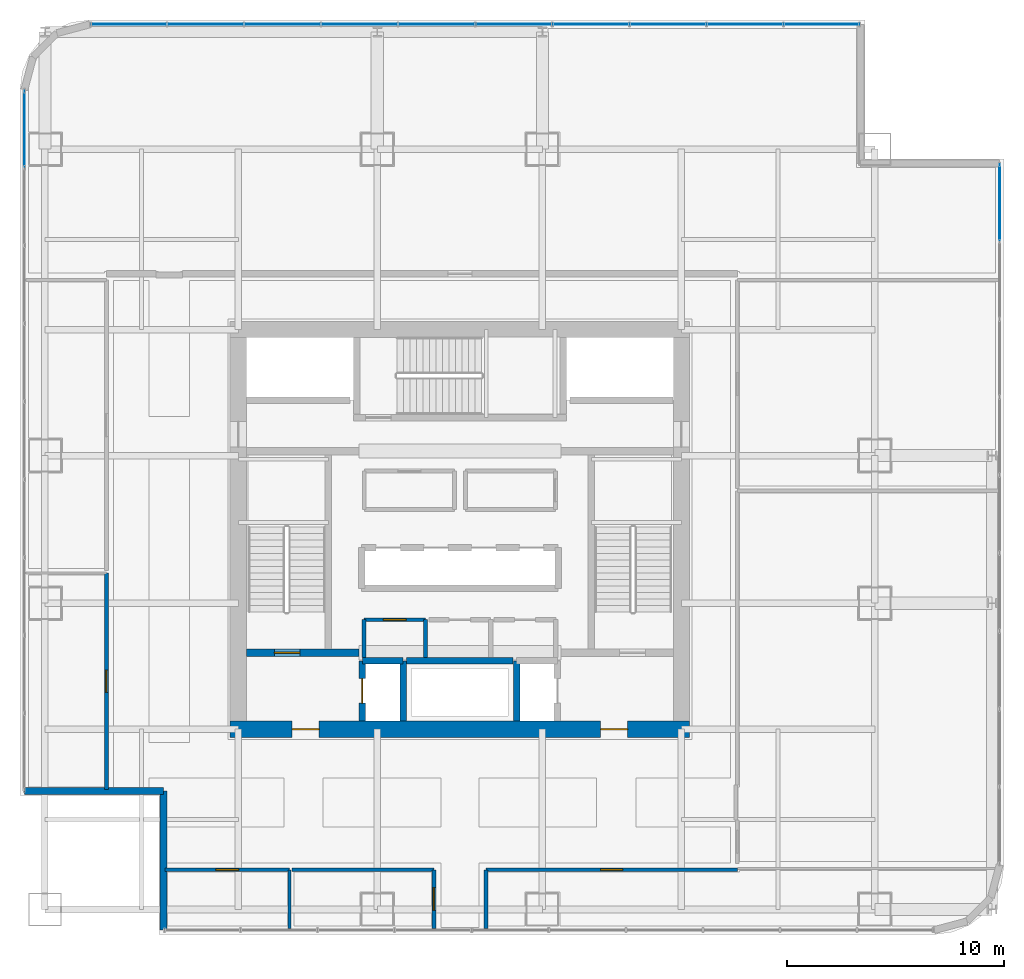
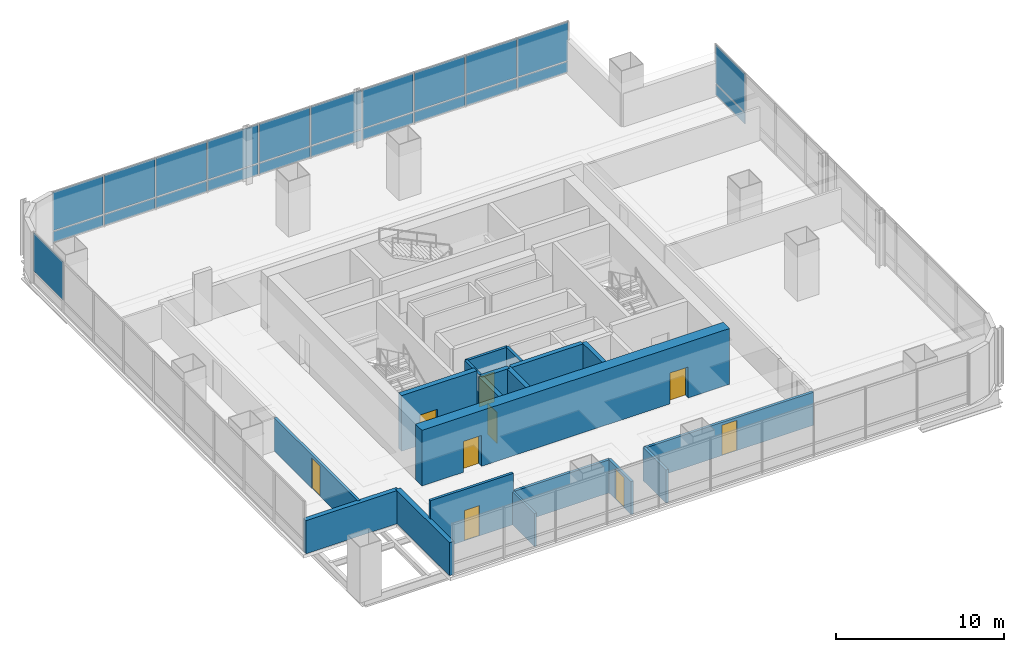
# One storey, part 27 of 33: 23 plates, 19 walls, 9 doors, 9 openings, 3 elements without a shape of their own.
"""IFC4 building model written with IfcOpenShell, lengths in metres."""

from ifc_helpers import new_model, si_unit, direction, frame, frame_2d, origin, origin_2d, place, context, subcontext, project, spatial, rectangle, extrude, material, layer, layer_set, type_object, element, fill, aggregate, save


model = new_model("IFC4")

# Units and contexts
model_context = context("Model", 3, precision=1e-05, world=origin(), true_north=direction((0.0, 1.0)))
body_context = subcontext(model_context, "Body", "Model", "MODEL_VIEW")
ifc_project = project(units=[si_unit("LENGTHUNIT", "METRE"), si_unit("AREAUNIT", "SQUARE_METRE"), si_unit("VOLUMEUNIT", "CUBIC_METRE"), si_unit("PLANEANGLEUNIT", "RADIAN"), si_unit("MASSUNIT", "GRAM", prefix="KILO")], contexts=[model_context])

# Site, building, storey
site_placement = place(None, origin())
site = spatial("IfcSite", under=ifc_project, at=site_placement, CompositionType="ELEMENT")
building_placement = place(site_placement, origin())
building = spatial("IfcBuilding", under=site, at=building_placement, Name="Punatoya Terracotta Tower", CompositionType="ELEMENT")
storey_placement = place(building_placement, frame((0.0, 0.0, 121.35009765625)))
storey = spatial("IfcBuildingStorey", under=building, at=storey_placement, Name="L28", CompositionType="ELEMENT", Elevation=121.35009765625)

# Curtain wall, plate
ifc_material_1 = material(Name="Aluminium 6063-T6 + Double Low-E Glass", Category="aluminium")
curtain_wall_type = type_object("IfcCurtainWallType", Name="CW-M1", PredefinedType="NOTDEFINED", material=ifc_material_1)
curtain_wall_1_placement = place(storey_placement, origin())
curtain_wall_1 = element("IfcCurtainWall", 1, at=curtain_wall_1_placement, inside=storey, type_object=curtain_wall_type, Name="L28 Curtain Wall CW-L28-E05-1", PredefinedType="NOTDEFINED")
ifc_material_2 = material(Name="Double Low-E Clear Vision Glass", Category="glass")
ifc_layer_1 = layer(ifc_material_2, 0.028076171875)
ifc_layer_set_1 = layer_set([ifc_layer_1], Name="Double Low-E Clear Vision Glass")
plate_type_1 = type_object("IfcPlateType", Name="PLT-GLZ-28", PredefinedType="CURTAIN_PANEL", material=ifc_layer_set_1)
plate_1_placement = place(storey_placement, frame((24.85009765625, 15.056396484375, 0.8896484375), z_axis=(0.0, 0.0, 1.0), x_axis=(0.0, 1.0, 0.0)))
plate_1 = element("IfcPlate", 2, at=plate_1_placement, type_object=plate_type_1, Name="CW-L28-E05-1 Vision Glass Panel 9", PredefinedType="CURTAIN_PANEL", context=body_context, shape_type="SweptSolid", body=[
    extrude(rectangle(XDim=3.50244140625, YDim=0.028076171875, at=origin_2d()), origin(), (0.0, 0.0, 1.0), 2.800048828125),
])

# Curtain wall, plates
curtain_wall_2_placement = place(storey_placement, origin())
curtain_wall_2 = element("IfcCurtainWall", 3, at=curtain_wall_2_placement, inside=storey, type_object=curtain_wall_type, Name="L28 Curtain Wall CW-L28-N08-1", PredefinedType="NOTDEFINED")
plate_2_placement = place(storey_placement, frame((16.67578125, 23.25, 0.8896484375), z_axis=(0.0, 0.0, 1.0), x_axis=(-1.0, 0.0, 0.0)))
plate_2 = element("IfcPlate", 4, at=plate_2_placement, type_object=plate_type_1, Name="CW-L28-N08-1 Vision Glass Panel 1", PredefinedType="CURTAIN_PANEL", context=body_context, shape_type="SweptSolid", body=[
    extrude(rectangle(XDim=3.463623046875, YDim=0.028076171875, at=origin_2d()), origin(), (0.0, 0.0, 1.0), 2.800048828125),
])
plate_3_placement = place(storey_placement, frame((13.126953125, 23.25, 0.8896484375), z_axis=(0.0, 0.0, 1.0), x_axis=(-1.0, 0.0, 0.0)))
plate_3 = element("IfcPlate", 5, at=plate_3_placement, type_object=plate_type_1, Name="CW-L28-N08-1 Vision Glass Panel 2", PredefinedType="CURTAIN_PANEL", context=body_context, shape_type="SweptSolid", body=[
    extrude(rectangle(XDim=3.463623046875, YDim=0.028076171875, at=origin_2d()), origin(), (0.0, 0.0, 1.0), 2.800048828125),
])
plate_4_placement = place(storey_placement, frame((9.578369140625, 23.25, 0.8896484375), z_axis=(0.0, 0.0, 1.0), x_axis=(-1.0, 0.0, 0.0)))
plate_4 = element("IfcPlate", 6, at=plate_4_placement, type_object=plate_type_1, Name="CW-L28-N08-1 Vision Glass Panel 3", PredefinedType="CURTAIN_PANEL", context=body_context, shape_type="SweptSolid", body=[
    extrude(rectangle(XDim=3.463623046875, YDim=0.028076171875, at=origin_2d()), origin(), (0.0, 0.0, 1.0), 2.800048828125),
])
plate_5_placement = place(storey_placement, frame((6.029541015625, 23.25, 0.8896484375), z_axis=(0.0, 0.0, 1.0), x_axis=(-1.0, 0.0, 0.0)))
plate_5 = element("IfcPlate", 7, at=plate_5_placement, type_object=plate_type_1, Name="CW-L28-N08-1 Vision Glass Panel 4", PredefinedType="CURTAIN_PANEL", context=body_context, shape_type="SweptSolid", body=[
    extrude(rectangle(XDim=3.463623046875, YDim=0.028076171875, at=origin_2d()), origin(), (0.0, 0.0, 1.0), 2.800048828125),
])
plate_6_placement = place(storey_placement, frame((2.48095703125, 23.25, 0.8896484375), z_axis=(0.0, 0.0, 1.0), x_axis=(-1.0, 0.0, 0.0)))
plate_6 = element("IfcPlate", 8, at=plate_6_placement, type_object=plate_type_1, Name="CW-L28-N08-1 Vision Glass Panel 5", PredefinedType="CURTAIN_PANEL", context=body_context, shape_type="SweptSolid", body=[
    extrude(rectangle(XDim=3.463623046875, YDim=0.028076171875, at=origin_2d()), origin(), (0.0, 0.0, 1.0), 2.800048828125),
])
plate_7_placement = place(storey_placement, frame((-1.06787109375, 23.25, 0.8896484375), z_axis=(0.0, 0.0, 1.0), x_axis=(-1.0, 0.0, 0.0)))
plate_7 = element("IfcPlate", 9, at=plate_7_placement, type_object=plate_type_1, Name="CW-L28-N08-1 Vision Glass Panel 6", PredefinedType="CURTAIN_PANEL", context=body_context, shape_type="SweptSolid", body=[
    extrude(rectangle(XDim=3.463623046875, YDim=0.028076171875, at=origin_2d()), origin(), (0.0, 0.0, 1.0), 2.800048828125),
])
plate_8_placement = place(storey_placement, frame((-4.616455078125, 23.25, 0.8896484375), z_axis=(0.0, 0.0, 1.0), x_axis=(-1.0, 0.0, 0.0)))
plate_8 = element("IfcPlate", 10, at=plate_8_placement, type_object=plate_type_1, Name="CW-L28-N08-1 Vision Glass Panel 7", PredefinedType="CURTAIN_PANEL", context=body_context, shape_type="SweptSolid", body=[
    extrude(rectangle(XDim=3.463623046875, YDim=0.028076171875, at=origin_2d()), origin(), (0.0, 0.0, 1.0), 2.800048828125),
])
plate_9_placement = place(storey_placement, frame((-8.165283203125, 23.25, 0.8896484375), z_axis=(0.0, 0.0, 1.0), x_axis=(-1.0, 0.0, 0.0)))
plate_9 = element("IfcPlate", 11, at=plate_9_placement, type_object=plate_type_1, Name="CW-L28-N08-1 Vision Glass Panel 8", PredefinedType="CURTAIN_PANEL", context=body_context, shape_type="SweptSolid", body=[
    extrude(rectangle(XDim=3.463623046875, YDim=0.028076171875, at=origin_2d()), origin(), (0.0, 0.0, 1.0), 2.800048828125),
])
plate_10_placement = place(storey_placement, frame((-11.7138671875, 23.25, 0.8896484375), z_axis=(0.0, 0.0, 1.0), x_axis=(-1.0, 0.0, 0.0)))
plate_10 = element("IfcPlate", 12, at=plate_10_placement, type_object=plate_type_1, Name="CW-L28-N08-1 Vision Glass Panel 9", PredefinedType="CURTAIN_PANEL", context=body_context, shape_type="SweptSolid", body=[
    extrude(rectangle(XDim=3.463623046875, YDim=0.028076171875, at=origin_2d()), origin(), (0.0, 0.0, 1.0), 2.800048828125),
])
plate_11_placement = place(storey_placement, frame((-15.2626953125, 23.25, 0.8896484375), z_axis=(0.0, 0.0, 1.0), x_axis=(-1.0, 0.0, 0.0)))
plate_11 = element("IfcPlate", 13, at=plate_11_placement, type_object=plate_type_1, Name="CW-L28-N08-1 Vision Glass Panel 10", PredefinedType="CURTAIN_PANEL", context=body_context, shape_type="SweptSolid", body=[
    extrude(rectangle(XDim=3.463623046875, YDim=0.028076171875, at=origin_2d()), origin(), (0.0, 0.0, 1.0), 2.800048828125),
])

# Curtain wall, plate
curtain_wall_3_placement = place(storey_placement, origin())
curtain_wall_3 = element("IfcCurtainWall", 14, at=curtain_wall_3_placement, inside=storey, type_object=curtain_wall_type, Name="L28 Curtain Wall CW-L28-W12-1", PredefinedType="NOTDEFINED")
plate_12_placement = place(storey_placement, frame((-20.050048828125, 18.443115234375, 0.8896484375), z_axis=(0.0, 0.0, 1.0), x_axis=(0.0, -1.0, 0.0)))
plate_12 = element("IfcPlate", 15, at=plate_12_placement, type_object=plate_type_1, Name="CW-L28-W12-1 Vision Glass Panel 1", PredefinedType="CURTAIN_PANEL", context=body_context, shape_type="SweptSolid", body=[
    extrude(rectangle(XDim=3.50244140625, YDim=0.028076171875, at=origin_2d()), origin(), (0.0, 0.0, 1.0), 2.800048828125),
])
aggregate(curtain_wall_3, [plate_12])

# Plate
ifc_material_3 = material(Name="Insulated Terracotta-Backed Spandrel Panel", Category="masonry")
ifc_layer_2 = layer(ifc_material_3, 0.044921875)
ifc_layer_set_2 = layer_set([ifc_layer_2], Name="Insulated Terracotta-Backed Spandrel Panel")
plate_type_2 = type_object("IfcPlateType", Name="PLT-SPN-45", PredefinedType="CURTAIN_PANEL", material=ifc_layer_set_2)
plate_13_placement = place(storey_placement, frame((24.85009765625, 15.056396484375, 0.0400390625), z_axis=(0.0, 0.0, 1.0), x_axis=(0.0, 1.0, 0.0)))
plate_13 = element("IfcPlate", 16, at=plate_13_placement, type_object=plate_type_2, Name="CW-L28-E05-1 Terracotta Spandrel Panel 9", PredefinedType="CURTAIN_PANEL", context=body_context, shape_type="SweptSolid", body=[
    extrude(rectangle(XDim=3.50244140625, YDim=0.044921875, at=origin_2d()), origin(), (0.0, 0.0, 1.0), 0.77490234375),
])

aggregate(curtain_wall_1, [plate_13, plate_1])

plate_14_placement = place(storey_placement, frame((16.67578125, 23.25, 0.0400390625), z_axis=(0.0, 0.0, 1.0), x_axis=(-1.0, 0.0, 0.0)))
plate_14 = element("IfcPlate", 17, at=plate_14_placement, type_object=plate_type_2, Name="CW-L28-N08-1 Terracotta Spandrel Panel 1", PredefinedType="CURTAIN_PANEL", context=body_context, shape_type="SweptSolid", body=[
    extrude(rectangle(XDim=3.463623046875, YDim=0.044921875, at=origin_2d()), origin(), (0.0, 0.0, 1.0), 0.77490234375),
])

plate_15_placement = place(storey_placement, frame((13.126953125, 23.25, 0.0400390625), z_axis=(0.0, 0.0, 1.0), x_axis=(-1.0, 0.0, 0.0)))
plate_15 = element("IfcPlate", 18, at=plate_15_placement, type_object=plate_type_2, Name="CW-L28-N08-1 Terracotta Spandrel Panel 2", PredefinedType="CURTAIN_PANEL", context=body_context, shape_type="SweptSolid", body=[
    extrude(rectangle(XDim=3.463623046875, YDim=0.044921875, at=origin_2d()), origin(), (0.0, 0.0, 1.0), 0.77490234375),
])

plate_16_placement = place(storey_placement, frame((9.578369140625, 23.25, 0.0400390625), z_axis=(0.0, 0.0, 1.0), x_axis=(-1.0, 0.0, 0.0)))
plate_16 = element("IfcPlate", 19, at=plate_16_placement, type_object=plate_type_2, Name="CW-L28-N08-1 Terracotta Spandrel Panel 3", PredefinedType="CURTAIN_PANEL", context=body_context, shape_type="SweptSolid", body=[
    extrude(rectangle(XDim=3.463623046875, YDim=0.044921875, at=origin_2d()), origin(), (0.0, 0.0, 1.0), 0.77490234375),
])

plate_17_placement = place(storey_placement, frame((6.029541015625, 23.25, 0.0400390625), z_axis=(0.0, 0.0, 1.0), x_axis=(-1.0, 0.0, 0.0)))
plate_17 = element("IfcPlate", 20, at=plate_17_placement, type_object=plate_type_2, Name="CW-L28-N08-1 Terracotta Spandrel Panel 4", PredefinedType="CURTAIN_PANEL", context=body_context, shape_type="SweptSolid", body=[
    extrude(rectangle(XDim=3.463623046875, YDim=0.044921875, at=origin_2d()), origin(), (0.0, 0.0, 1.0), 0.77490234375),
])

plate_18_placement = place(storey_placement, frame((2.48095703125, 23.25, 0.0400390625), z_axis=(0.0, 0.0, 1.0), x_axis=(-1.0, 0.0, 0.0)))
plate_18 = element("IfcPlate", 21, at=plate_18_placement, type_object=plate_type_2, Name="CW-L28-N08-1 Terracotta Spandrel Panel 5", PredefinedType="CURTAIN_PANEL", context=body_context, shape_type="SweptSolid", body=[
    extrude(rectangle(XDim=3.463623046875, YDim=0.044921875, at=origin_2d()), origin(), (0.0, 0.0, 1.0), 0.77490234375),
])

plate_19_placement = place(storey_placement, frame((-1.06787109375, 23.25, 0.0400390625), z_axis=(0.0, 0.0, 1.0), x_axis=(-1.0, 0.0, 0.0)))
plate_19 = element("IfcPlate", 22, at=plate_19_placement, type_object=plate_type_2, Name="CW-L28-N08-1 Terracotta Spandrel Panel 6", PredefinedType="CURTAIN_PANEL", context=body_context, shape_type="SweptSolid", body=[
    extrude(rectangle(XDim=3.463623046875, YDim=0.044921875, at=origin_2d()), origin(), (0.0, 0.0, 1.0), 0.77490234375),
])

plate_20_placement = place(storey_placement, frame((-4.616455078125, 23.25, 0.0400390625), z_axis=(0.0, 0.0, 1.0), x_axis=(-1.0, 0.0, 0.0)))
plate_20 = element("IfcPlate", 23, at=plate_20_placement, type_object=plate_type_2, Name="CW-L28-N08-1 Terracotta Spandrel Panel 7", PredefinedType="CURTAIN_PANEL", context=body_context, shape_type="SweptSolid", body=[
    extrude(rectangle(XDim=3.463623046875, YDim=0.044921875, at=origin_2d()), origin(), (0.0, 0.0, 1.0), 0.77490234375),
])

plate_21_placement = place(storey_placement, frame((-8.165283203125, 23.25, 0.0400390625), z_axis=(0.0, 0.0, 1.0), x_axis=(-1.0, 0.0, 0.0)))
plate_21 = element("IfcPlate", 24, at=plate_21_placement, type_object=plate_type_2, Name="CW-L28-N08-1 Terracotta Spandrel Panel 8", PredefinedType="CURTAIN_PANEL", context=body_context, shape_type="SweptSolid", body=[
    extrude(rectangle(XDim=3.463623046875, YDim=0.044921875, at=origin_2d()), origin(), (0.0, 0.0, 1.0), 0.77490234375),
])

plate_22_placement = place(storey_placement, frame((-11.7138671875, 23.25, 0.0400390625), z_axis=(0.0, 0.0, 1.0), x_axis=(-1.0, 0.0, 0.0)))
plate_22 = element("IfcPlate", 25, at=plate_22_placement, type_object=plate_type_2, Name="CW-L28-N08-1 Terracotta Spandrel Panel 9", PredefinedType="CURTAIN_PANEL", context=body_context, shape_type="SweptSolid", body=[
    extrude(rectangle(XDim=3.463623046875, YDim=0.044921875, at=origin_2d()), origin(), (0.0, 0.0, 1.0), 0.77490234375),
])

plate_23_placement = place(storey_placement, frame((-15.2626953125, 23.25, 0.0400390625), z_axis=(0.0, 0.0, 1.0), x_axis=(-1.0, 0.0, 0.0)))
plate_23 = element("IfcPlate", 26, at=plate_23_placement, type_object=plate_type_2, Name="CW-L28-N08-1 Terracotta Spandrel Panel 10", PredefinedType="CURTAIN_PANEL", context=body_context, shape_type="SweptSolid", body=[
    extrude(rectangle(XDim=3.463623046875, YDim=0.044921875, at=origin_2d()), origin(), (0.0, 0.0, 1.0), 0.77490234375),
])

aggregate(curtain_wall_2, [plate_14, plate_2, plate_15, plate_3, plate_16, plate_4, plate_17, plate_5, plate_18, plate_6, plate_19, plate_7, plate_20, plate_8, plate_21, plate_9, plate_22, plate_10, plate_23, plate_11])

# Wall, openings, doors
ifc_material_4 = material(Name="Concrete C60/75", Category="concrete")
ifc_layer_3 = layer(ifc_material_4, 0.75)
ifc_layer_set_3 = layer_set([ifc_layer_3], Name="Concrete C60/75")
wall_type_1 = type_object("IfcWallType", Name="WL-COR-750", PredefinedType="SHEAR", material=ifc_layer_set_3)
wall_1_placement = place(storey_placement, frame((10.574951171875, -9.199951171875, 0.0), z_axis=(0.0, 0.0, 1.0), x_axis=(-1.0, 0.0, 0.0)))
wall_1 = element("IfcWall", 27, at=wall_1_placement, inside=storey, type_object=wall_type_1, Name="L28 Core Shear Wall S", PredefinedType="SHEAR", context=body_context, shape_type="SweptSolid", body=[
    extrude(rectangle(XDim=21.14990234375, YDim=0.75, at=frame_2d((10.574951171875, 0.0))), origin(), (0.0, 0.0, 1.0), 4.0498046875),
])
opening_1_placement = place(wall_1_placement, frame((2.85009765625, 0.0, 0.0)))
opening_1 = element("IfcOpeningElement", 28, at=opening_1_placement, cuts=wall_1, Name="Opening FD-L1", PredefinedType="OPENING", context=body_context, shape_type="SweptSolid", body=[
    extrude(rectangle(XDim=1.25, YDim=2.25, at=frame_2d((0.625, 1.125))), frame((0.0, 0.385009765625, 0.0), z_axis=(0.0, -1.0, 0.0), x_axis=(1.0, 0.0, 0.0)), (0.0, 0.0, 1.0), 0.77001953125),
])
opening_2_placement = place(wall_1_placement, frame((17.050048828125, 0.0, 0.0)))
opening_2 = element("IfcOpeningElement", 29, at=opening_2_placement, cuts=wall_1, Name="Opening FD-L1", PredefinedType="OPENING", context=body_context, shape_type="SweptSolid", body=[
    extrude(rectangle(XDim=1.25, YDim=2.25, at=frame_2d((0.625, 1.125))), frame((0.0, 0.385009765625, 0.0), z_axis=(0.0, -1.0, 0.0), x_axis=(1.0, 0.0, 0.0)), (0.0, 0.0, 1.0), 0.77001953125),
])
ifc_material_5 = material(Name="Galvanised Steel Smokeproof Fire Door", Category="steel")
door_type_1 = type_object("IfcDoorType", Name="DR-FFL-1250", OperationType="NOTDEFINED", PredefinedType="DOOR", material=ifc_material_5)
door_1_placement = place(opening_1_placement, origin())
door_1 = element("IfcDoor", 30, at=door_1_placement, inside=storey, type_object=door_type_1, Name="L28 East Firefighting Lobby Corridor Fire Door", OperationType="SINGLE_SWING_LEFT", OverallHeight=2.25, OverallWidth=1.25, PredefinedType="DOOR", context=body_context, shape_type="SweptSolid", body=[
    extrude(rectangle(XDim=1.25, YDim=2.25, at=frame_2d((0.625, 1.125))), frame((0.0, 0.02490234375, 0.0), z_axis=(0.0, -1.0, 0.0), x_axis=(1.0, 0.0, 0.0)), (0.0, 0.0, 1.0), 0.050048828125),
])
fill(opening_1, door_1)
door_2_placement = place(opening_2_placement, origin())
door_2 = element("IfcDoor", 31, at=door_2_placement, inside=storey, type_object=door_type_1, Name="L28 West Firefighting Lobby Corridor Fire Door", OperationType="SINGLE_SWING_RIGHT", OverallHeight=2.25, OverallWidth=1.25, PredefinedType="DOOR", context=body_context, shape_type="SweptSolid", body=[
    extrude(rectangle(XDim=1.25, YDim=2.25, at=frame_2d((0.625, 1.125))), frame((0.0, 0.02490234375, 0.0), z_axis=(0.0, -1.0, 0.0), x_axis=(1.0, 0.0, 0.0)), (0.0, 0.0, 1.0), 0.050048828125),
])
fill(opening_2, door_2)

# Wall
ifc_material_6 = material(Name="Gypsum Fireboard + Steel Stud", Category="steel")
ifc_layer_4 = layer(ifc_material_6, 0.179931640625)
ifc_layer_set_4 = layer_set([ifc_layer_4], Name="Gypsum Fireboard + Steel Stud")
wall_type_2 = type_object("IfcWallType", Name="WL-CORR-180", PredefinedType="PARTITIONING", material=ifc_layer_set_4)
wall_2_placement = place(storey_placement, frame((-1.580078125, -5.89990234375, 0.0), z_axis=(0.0, 0.0, 1.0), x_axis=(0.0, 1.0, 0.0)))
element("IfcWall", 32, at=wall_2_placement, inside=storey, type_object=wall_type_2, Name="L28 Core Quiet Wellness Room Partition 01", PredefinedType="PARTITIONING", context=body_context, shape_type="SweptSolid", body=[
    extrude(rectangle(XDim=1.739990234375, YDim=0.179931640625, at=frame_2d((0.8701171875, 0.0))), origin(), (0.0, 0.0, 1.0), 3.72998046875),
])

# Wall, opening, door
wall_3_placement = place(storey_placement, frame((-1.580078125, -4.159912109375, 0.0), z_axis=(0.0, 0.0, 1.0), x_axis=(-1.0, 0.0, 0.0)))
wall_3 = element("IfcWall", 33, at=wall_3_placement, inside=storey, type_object=wall_type_2, Name="L28 Core Quiet Wellness Room Partition 02", PredefinedType="PARTITIONING", context=body_context, shape_type="SweptSolid", body=[
    extrude(rectangle(XDim=2.83984375, YDim=0.179931640625, at=frame_2d((1.419921875, 0.0))), origin(), (0.0, 0.0, 1.0), 3.72998046875),
])
opening_3_placement = place(wall_3_placement, frame((0.89501953125, 0.0, 0.0)))
opening_3 = element("IfcOpeningElement", 34, at=opening_3_placement, cuts=wall_3, Name="Opening OD-01", PredefinedType="OPENING", context=body_context, shape_type="SweptSolid", body=[
    extrude(rectangle(XDim=1.050048828125, YDim=2.199951171875, at=frame_2d((0.52490234375, 1.10009765625))), frame((0.0, 0.099853515625, 0.0), z_axis=(0.0, -1.0, 0.0), x_axis=(1.0, 0.0, 0.0)), (0.0, 0.0, 1.0), 0.199951171875),
])
ifc_material_7 = material(Name="Bengal Teak Solid-Core Leaf")
door_type_2 = type_object("IfcDoorType", Name="DR-OFF-1050", OperationType="NOTDEFINED", PredefinedType="DOOR", material=ifc_material_7)
door_3_placement = place(opening_3_placement, origin())
door_3 = element("IfcDoor", 35, at=door_3_placement, inside=storey, type_object=door_type_2, Name="L28 Quiet Wellness Room Door", OperationType="SINGLE_SWING_LEFT", OverallHeight=2.199951171875, OverallWidth=1.050048828125, PredefinedType="DOOR", context=body_context, shape_type="SweptSolid", body=[
    extrude(rectangle(XDim=1.050048828125, YDim=2.199951171875, at=frame_2d((0.52490234375, 1.10009765625))), frame((0.0, 0.02490234375, 0.0), z_axis=(0.0, -1.0, 0.0), x_axis=(1.0, 0.0, 0.0)), (0.0, 0.0, 1.0), 0.050048828125),
])
fill(opening_3, door_3)

# Wall
wall_4_placement = place(storey_placement, frame((-4.419921875, -4.159912109375, 0.0), z_axis=(0.0, 0.0, 1.0), x_axis=(0.0, -1.0, 0.0)))
element("IfcWall", 36, at=wall_4_placement, inside=storey, type_object=wall_type_2, Name="L28 Core Quiet Wellness Room Partition 03", PredefinedType="PARTITIONING", context=body_context, shape_type="SweptSolid", body=[
    extrude(rectangle(XDim=1.739990234375, YDim=0.179931640625, at=frame_2d((0.8701171875, 0.0))), origin(), (0.0, 0.0, 1.0), 3.72998046875),
])

# Wall, opening, door
wall_5_placement = place(storey_placement, frame((-13.570068359375, -15.669921875, 0.0), z_axis=(0.0, 0.0, 1.0), x_axis=(1.0, 0.0, 0.0)))
wall_5 = element("IfcWall", 37, at=wall_5_placement, inside=storey, type_object=wall_type_2, Name="L28 Staff Wellness Studio Partition 16", PredefinedType="PARTITIONING", context=body_context, shape_type="SweptSolid", body=[
    extrude(rectangle(XDim=5.72412109375, YDim=0.179931640625, at=frame_2d((2.862060546875, 0.0))), origin(), (0.0, 0.0, 1.0), 3.72998046875),
])
opening_4_placement = place(wall_5_placement, frame((2.3369140625, 0.0, 0.0)))
opening_4 = element("IfcOpeningElement", 38, at=opening_4_placement, cuts=wall_5, Name="Opening OD-01", PredefinedType="OPENING", context=body_context, shape_type="SweptSolid", body=[
    extrude(rectangle(XDim=1.050048828125, YDim=2.199951171875, at=frame_2d((0.52490234375, 1.10009765625))), frame((0.0, 0.099853515625, 0.0), z_axis=(0.0, -1.0, 0.0), x_axis=(1.0, 0.0, 0.0)), (0.0, 0.0, 1.0), 0.199951171875),
])
door_4_placement = place(opening_4_placement, origin())
door_4 = element("IfcDoor", 39, at=door_4_placement, inside=storey, type_object=door_type_2, Name="L28 Staff Wellness Studio Door", OperationType="SINGLE_SWING_RIGHT", OverallHeight=2.199951171875, OverallWidth=1.050048828125, PredefinedType="DOOR", context=body_context, shape_type="SweptSolid", body=[
    extrude(rectangle(XDim=1.050048828125, YDim=2.199951171875, at=frame_2d((0.52490234375, 1.10009765625))), frame((0.0, 0.02490234375, 0.0), z_axis=(0.0, -1.0, 0.0), x_axis=(1.0, 0.0, 0.0)), (0.0, 0.0, 1.0), 0.050048828125),
])
fill(opening_4, door_4)

wall_6_placement = place(storey_placement, frame((-1.199951171875, -15.669921875, 0.0), z_axis=(0.0, 0.0, 1.0), x_axis=(0.0, -1.0, 0.0)))
wall_6 = element("IfcWall", 40, at=wall_6_placement, inside=storey, type_object=wall_type_2, Name="L28 Open-Plan Occupational Rest Lounge Partition 18", PredefinedType="PARTITIONING", context=body_context, shape_type="SweptSolid", body=[
    extrude(rectangle(XDim=2.7001953125, YDim=0.179931640625, at=frame_2d((1.35009765625, 0.0))), origin(), (0.0, 0.0, 1.0), 2.40380859375),
])
opening_5_placement = place(wall_6_placement, frame((0.824951171875, 0.0, 0.0)))
opening_5 = element("IfcOpeningElement", 41, at=opening_5_placement, cuts=wall_6, Name="Opening OD-01", PredefinedType="OPENING", context=body_context, shape_type="SweptSolid", body=[
    extrude(rectangle(XDim=1.050048828125, YDim=2.199951171875, at=frame_2d((0.52490234375, 1.10009765625))), frame((0.0, 0.099853515625, 0.0), z_axis=(0.0, -1.0, 0.0), x_axis=(1.0, 0.0, 0.0)), (0.0, 0.0, 1.0), 0.199951171875),
])
door_5_placement = place(opening_5_placement, origin())
door_5 = element("IfcDoor", 42, at=door_5_placement, inside=storey, type_object=door_type_2, Name="L28 Open-Plan Occupational Rest Lounge Door", OperationType="SINGLE_SWING_LEFT", OverallHeight=2.199951171875, OverallWidth=1.050048828125, PredefinedType="DOOR", context=body_context, shape_type="SweptSolid", body=[
    extrude(rectangle(XDim=1.050048828125, YDim=2.199951171875, at=frame_2d((0.52490234375, 1.10009765625))), frame((0.0, 0.02490234375, 0.0), z_axis=(0.0, -1.0, 0.0), x_axis=(1.0, 0.0, 0.0)), (0.0, 0.0, 1.0), 0.050048828125),
])
fill(opening_5, door_5)

# Wall
wall_7_placement = place(storey_placement, frame((-7.72607421875, -15.669921875, 0.0), z_axis=(0.0, 0.0, 1.0), x_axis=(1.0, 0.0, 0.0)))
element("IfcWall", 43, at=wall_7_placement, inside=storey, type_object=wall_type_2, Name="L28 Open-Plan Occupational Rest Lounge Partition 19", PredefinedType="PARTITIONING", context=body_context, shape_type="SweptSolid", body=[
    extrude(rectangle(XDim=6.526123046875, YDim=0.179931640625, at=frame_2d((3.26318359375, 0.0))), origin(), (0.0, 0.0, 1.0), 2.40380859375),
])

# Wall, opening, door
wall_8_placement = place(storey_placement, frame((1.199951171875, -15.669921875, 0.0), z_axis=(0.0, 0.0, 1.0), x_axis=(1.0, 0.0, 0.0)))
wall_8 = element("IfcWall", 44, at=wall_8_placement, inside=storey, type_object=wall_type_2, Name="L28 Open-Plan Cultural History Classroom Partition 20", PredefinedType="PARTITIONING", context=body_context, shape_type="SweptSolid", body=[
    extrude(rectangle(XDim=11.570068359375, YDim=0.179931640625, at=frame_2d((5.78515625, 0.0))), origin(), (0.0, 0.0, 1.0), 2.40380859375),
])
opening_6_placement = place(wall_8_placement, frame((5.27490234375, 0.0, 0.0)))
opening_6 = element("IfcOpeningElement", 45, at=opening_6_placement, cuts=wall_8, Name="Opening MD-01", PredefinedType="OPENING", context=body_context, shape_type="SweptSolid", body=[
    extrude(rectangle(XDim=1.02001953125, YDim=2.199951171875, at=frame_2d((0.510009765625, 1.10009765625))), frame((0.0, 0.099853515625, 0.0), z_axis=(0.0, -1.0, 0.0), x_axis=(1.0, 0.0, 0.0)), (0.0, 0.0, 1.0), 0.199951171875),
])
ifc_material_8 = material(Name="Aluminium + Acoustic Glass Leaf", Category="aluminium")
door_type_3 = type_object("IfcDoorType", Name="DR-MTG-1020", OperationType="NOTDEFINED", PredefinedType="DOOR", material=ifc_material_8)
door_6_placement = place(opening_6_placement, origin())
door_6 = element("IfcDoor", 46, at=door_6_placement, inside=storey, type_object=door_type_3, Name="L28 Open-Plan Cultural History Classroom Door", OperationType="SINGLE_SWING_RIGHT", OverallHeight=2.199951171875, OverallWidth=1.02001953125, PredefinedType="DOOR", context=body_context, shape_type="SweptSolid", body=[
    extrude(rectangle(XDim=1.02001953125, YDim=2.199951171875, at=frame_2d((0.510009765625, 1.10009765625))), frame((0.0, 0.02490234375, 0.0), z_axis=(0.0, -1.0, 0.0), x_axis=(1.0, 0.0, 0.0)), (0.0, 0.0, 1.0), 0.050048828125),
])
fill(opening_6, door_6)

# Wall
wall_9_placement = place(storey_placement, frame((1.199951171875, -18.3701171875, 0.0), z_axis=(0.0, 0.0, 1.0), x_axis=(0.0, 1.0, 0.0)))
element("IfcWall", 47, at=wall_9_placement, inside=storey, type_object=wall_type_2, Name="L28 Open-Plan Cultural History Classroom Partition 22", PredefinedType="PARTITIONING", context=body_context, shape_type="SweptSolid", body=[
    extrude(rectangle(XDim=2.7001953125, YDim=0.179931640625, at=frame_2d((1.35009765625, 0.0))), origin(), (0.0, 0.0, 1.0), 2.40380859375),
])

# Wall, opening, door
wall_10_placement = place(storey_placement, frame((-16.27001953125, -2.010009765625, 0.0), z_axis=(0.0, 0.0, 1.0), x_axis=(0.0, -1.0, 0.0)))
wall_10 = element("IfcWall", 48, at=wall_10_placement, inside=storey, type_object=wall_type_2, Name="L28 Open-Plan Leadership Training Classroom Partition 24", PredefinedType="PARTITIONING", context=body_context, shape_type="SweptSolid", body=[
    extrude(rectangle(XDim=9.9599609375, YDim=0.179931640625, at=frame_2d((4.97998046875, 0.0))), origin(), (0.0, 0.0, 1.0), 2.40380859375),
])
opening_7_placement = place(wall_10_placement, frame((4.469970703125, 0.0, 0.0)))
opening_7 = element("IfcOpeningElement", 49, at=opening_7_placement, cuts=wall_10, Name="Opening MD-01", PredefinedType="OPENING", context=body_context, shape_type="SweptSolid", body=[
    extrude(rectangle(XDim=1.02001953125, YDim=2.199951171875, at=frame_2d((0.510009765625, 1.10009765625))), frame((0.0, 0.099853515625, 0.0), z_axis=(0.0, -1.0, 0.0), x_axis=(1.0, 0.0, 0.0)), (0.0, 0.0, 1.0), 0.199951171875),
])
door_7_placement = place(opening_7_placement, origin())
door_7 = element("IfcDoor", 50, at=door_7_placement, inside=storey, type_object=door_type_3, Name="L28 Open-Plan Leadership Training Classroom Door", OperationType="SINGLE_SWING_LEFT", OverallHeight=2.199951171875, OverallWidth=1.02001953125, PredefinedType="DOOR", context=body_context, shape_type="SweptSolid", body=[
    extrude(rectangle(XDim=1.02001953125, YDim=2.199951171875, at=frame_2d((0.510009765625, 1.10009765625))), frame((0.0, 0.02490234375, 0.0), z_axis=(0.0, -1.0, 0.0), x_axis=(1.0, 0.0, 0.0)), (0.0, 0.0, 1.0), 0.050048828125),
])
fill(opening_7, door_7)

# Walls
ifc_material_9 = material(Name="Precast concrete C40/50", Category="concrete")
ifc_layer_5 = layer(ifc_material_9, 0.320068359375)
ifc_layer_set_5 = layer_set([ifc_layer_5], Name="Precast concrete C40/50")
wall_type_3 = type_object("IfcWallType", Name="WL-EXT-320", PredefinedType="SOLIDWALL", material=ifc_layer_set_5)
wall_11_placement = place(storey_placement, frame((-20.050048828125, -12.050048828125, 0.0), z_axis=(0.0, 0.0, 1.0), x_axis=(1.0, 0.0, 0.0)))
element("IfcWall", 51, at=wall_11_placement, inside=storey, type_object=wall_type_3, Name="L28 Recessed Corner-Slot Terracotta Wall 13", PredefinedType="SOLIDWALL", context=body_context, shape_type="SweptSolid", body=[
    extrude(rectangle(XDim=6.400146484375, YDim=0.320068359375, at=frame_2d((3.2001953125, 0.0))), origin(), (0.0, 0.0, 1.0), 2.40380859375),
])
wall_12_placement = place(storey_placement, frame((-13.64990234375, -12.050048828125, 0.0), z_axis=(0.0, 0.0, 1.0), x_axis=(0.0, -1.0, 0.0)))
element("IfcWall", 52, at=wall_12_placement, inside=storey, type_object=wall_type_3, Name="L28 Recessed Corner-Slot Terracotta Wall 14", PredefinedType="SOLIDWALL", context=body_context, shape_type="SweptSolid", body=[
    extrude(rectangle(XDim=6.39990234375, YDim=0.320068359375, at=frame_2d((3.199951171875, 0.0))), origin(), (0.0, 0.0, 1.0), 2.40380859375),
])
ifc_material_10 = material(Name="Acoustic Gypsum + Steel Stud", Category="steel")
ifc_layer_6 = layer(ifc_material_10, 0.139892578125)
ifc_layer_set_6 = layer_set([ifc_layer_6], Name="Acoustic Gypsum + Steel Stud")
wall_type_4 = type_object("IfcWallType", Name="WL-OFF-140", PredefinedType="PARTITIONING", material=ifc_layer_set_6)
wall_13_placement = place(storey_placement, frame((-7.845947265625, -15.669921875, 0.0), z_axis=(0.0, 0.0, 1.0), x_axis=(0.0, -1.0, 0.0)))
element("IfcWall", 53, at=wall_13_placement, inside=storey, type_object=wall_type_4, Name="L28 Staff Wellness Studio Partition 17", PredefinedType="PARTITIONING", context=body_context, shape_type="SweptSolid", body=[
    extrude(rectangle(XDim=2.7001953125, YDim=0.139892578125, at=frame_2d((1.35009765625, 0.0))), origin(), (0.0, 0.0, 1.0), 2.40380859375),
])

# Wall, opening, door
ifc_material_11 = material(Name="Concrete C40/50", Category="concrete")
ifc_layer_7 = layer(ifc_material_11, 0.300048828125)
ifc_layer_set_7 = layer_set([ifc_layer_7], Name="Concrete C40/50")
wall_type_5 = type_object("IfcWallType", Name="WL-SHF-300", PredefinedType="SOLIDWALL", material=ifc_layer_set_7)
wall_14_placement = place(storey_placement, frame((-4.489990234375, -8.820068359375, 0.0), z_axis=(0.0, 0.0, 1.0), x_axis=(0.0, 1.0, 0.0)))
wall_14 = element("IfcWall", 54, at=wall_14_placement, inside=storey, type_object=wall_type_5, Name="L28 FFL-1 Front Hoistway Wall", PredefinedType="SOLIDWALL", context=body_context, shape_type="SweptSolid", body=[
    extrude(rectangle(XDim=2.77001953125, YDim=0.300048828125, at=frame_2d((1.385009765625, 0.0))), origin(), (0.0, 0.0, 1.0), 3.72998046875),
])
opening_8_placement = place(wall_14_placement, frame((0.824951171875, 0.0, 0.0)))
opening_8 = element("IfcOpeningElement", 55, at=opening_8_placement, cuts=wall_14, Name="Opening LD-02", PredefinedType="OPENING", context=body_context, shape_type="SweptSolid", body=[
    extrude(rectangle(XDim=1.1201171875, YDim=2.25, at=frame_2d((0.56005859375, 1.125))), frame((0.0, 0.159912109375, 0.0), z_axis=(0.0, -1.0, 0.0), x_axis=(1.0, 0.0, 0.0)), (0.0, 0.0, 1.0), 0.320068359375),
])
ifc_material_12 = material(Name="Stainless Steel Lift Landing Door", Category="steel")
door_type_4 = type_object("IfcDoorType", Name="DR-LND-1120", OperationType="NOTDEFINED", PredefinedType="DOOR", material=ifc_material_12)
door_8_placement = place(opening_8_placement, origin())
door_8 = element("IfcDoor", 56, at=door_8_placement, inside=storey, type_object=door_type_4, Name="L28 Firefighting Lift FFL-1 Sliding Landing Door", OperationType="SLIDING_TO_LEFT", OverallHeight=2.25, OverallWidth=1.1201171875, PredefinedType="DOOR", context=body_context, shape_type="SweptSolid", body=[
    extrude(rectangle(XDim=1.1201171875, YDim=2.25, at=frame_2d((0.56005859375, 1.125))), frame((0.0, 0.02490234375, 0.0), z_axis=(0.0, -1.0, 0.0), x_axis=(1.0, 0.0, 0.0)), (0.0, 0.0, 1.0), 0.050048828125),
])
fill(opening_8, door_8)

# Walls
wall_15_placement = place(storey_placement, frame((-2.610107421875, -8.820068359375, 0.0), z_axis=(0.0, 0.0, 1.0), x_axis=(0.0, 1.0, 0.0)))
element("IfcWall", 57, at=wall_15_placement, inside=storey, type_object=wall_type_5, Name="L28 FFL-1 Rear Hoistway Wall", PredefinedType="SOLIDWALL", context=body_context, shape_type="SweptSolid", body=[
    extrude(rectangle(XDim=2.77001953125, YDim=0.300048828125, at=frame_2d((1.385009765625, 0.0))), origin(), (0.0, 0.0, 1.0), 3.72998046875),
])
wall_16_placement = place(storey_placement, frame((-4.489990234375, -6.050048828125, 0.0), z_axis=(0.0, 0.0, 1.0), x_axis=(1.0, 0.0, 0.0)))
element("IfcWall", 58, at=wall_16_placement, inside=storey, type_object=wall_type_5, Name="L28 FFL-1 North Hoistway Wall", PredefinedType="SOLIDWALL", context=body_context, shape_type="SweptSolid", body=[
    extrude(rectangle(XDim=1.8798828125, YDim=0.300048828125, at=frame_2d((0.93994140625, 0.0))), origin(), (0.0, 0.0, 1.0), 3.72998046875),
])
wall_17_placement = place(storey_placement, frame((2.610107421875, -8.820068359375, 0.0), z_axis=(0.0, 0.0, 1.0), x_axis=(0.0, 1.0, 0.0)))
element("IfcWall", 59, at=wall_17_placement, inside=storey, type_object=wall_type_5, Name="L28 FFL-2 Rear Hoistway Wall", PredefinedType="SOLIDWALL", context=body_context, shape_type="SweptSolid", body=[
    extrude(rectangle(XDim=2.77001953125, YDim=0.300048828125, at=frame_2d((1.385009765625, 0.0))), origin(), (0.0, 0.0, 1.0), 3.72998046875),
])
wall_18_placement = place(storey_placement, frame((-2.449951171875, -6.050048828125, 0.0), z_axis=(0.0, 0.0, 1.0), x_axis=(1.0, 0.0, 0.0)))
element("IfcWall", 60, at=wall_18_placement, inside=storey, type_object=wall_type_5, Name="L28 Observation Shuttle Rear Hoistway Wall", PredefinedType="SOLIDWALL", context=body_context, shape_type="SweptSolid", body=[
    extrude(rectangle(XDim=4.89990234375, YDim=0.300048828125, at=frame_2d((2.449951171875, 0.0))), origin(), (0.0, 0.0, 1.0), 3.72998046875),
])

# Wall, opening, door
ifc_material_13 = material(Name="Concrete C50/60", Category="concrete")
ifc_layer_8 = layer(ifc_material_13, 0.35009765625)
ifc_layer_set_8 = layer_set([ifc_layer_8], Name="Concrete C50/60")
wall_type_6 = type_object("IfcWallType", Name="WL-SHF-350", PredefinedType="SOLIDWALL", material=ifc_layer_set_8)
wall_19_placement = place(storey_placement, frame((-9.824951171875, -5.679931640625, 0.0), z_axis=(0.0, 0.0, 1.0), x_axis=(1.0, 0.0, 0.0)))
wall_19 = element("IfcWall", 61, at=wall_19_placement, inside=storey, type_object=wall_type_6, Name="L28 Core Web Wall CSW-L", PredefinedType="SOLIDWALL", context=body_context, shape_type="SweptSolid", body=[
    extrude(rectangle(XDim=5.175048828125, YDim=0.35009765625, at=frame_2d((2.58740234375, 0.0))), origin(), (0.0, 0.0, 1.0), 4.0498046875),
])
opening_9_placement = place(wall_19_placement, frame((1.284912109375, 0.0, 0.0)))
opening_9 = element("IfcOpeningElement", 62, at=opening_9_placement, cuts=wall_19, Name="Opening SD-01", PredefinedType="OPENING", context=body_context, shape_type="SweptSolid", body=[
    extrude(rectangle(XDim=1.179931640625, YDim=2.199951171875, at=frame_2d((0.58984375, 1.10009765625))), frame((0.0, 0.18505859375, 0.0), z_axis=(0.0, -1.0, 0.0), x_axis=(1.0, 0.0, 0.0)), (0.0, 0.0, 1.0), 0.3701171875),
])
ifc_material_14 = material(Name="Galvanised Steel Pressurized Stair Fire Door", Category="steel")
door_type_5 = type_object("IfcDoorType", Name="DR-STR-1180", OperationType="NOTDEFINED", PredefinedType="DOOR", material=ifc_material_14)
door_9_placement = place(opening_9_placement, origin())
door_9 = element("IfcDoor", 63, at=door_9_placement, inside=storey, type_object=door_type_5, Name="L28 Stair ST-1 Smokeproof Lobby Fire Door", OperationType="SINGLE_SWING_LEFT", OverallHeight=2.199951171875, OverallWidth=1.179931640625, PredefinedType="DOOR", context=body_context, shape_type="SweptSolid", body=[
    extrude(rectangle(XDim=1.179931640625, YDim=2.199951171875, at=frame_2d((0.58984375, 1.10009765625))), frame((0.0, 0.02490234375, 0.0), z_axis=(0.0, -1.0, 0.0), x_axis=(1.0, 0.0, 0.0)), (0.0, 0.0, 1.0), 0.050048828125),
])
fill(opening_9, door_9)

save(model, "model.ifc")
